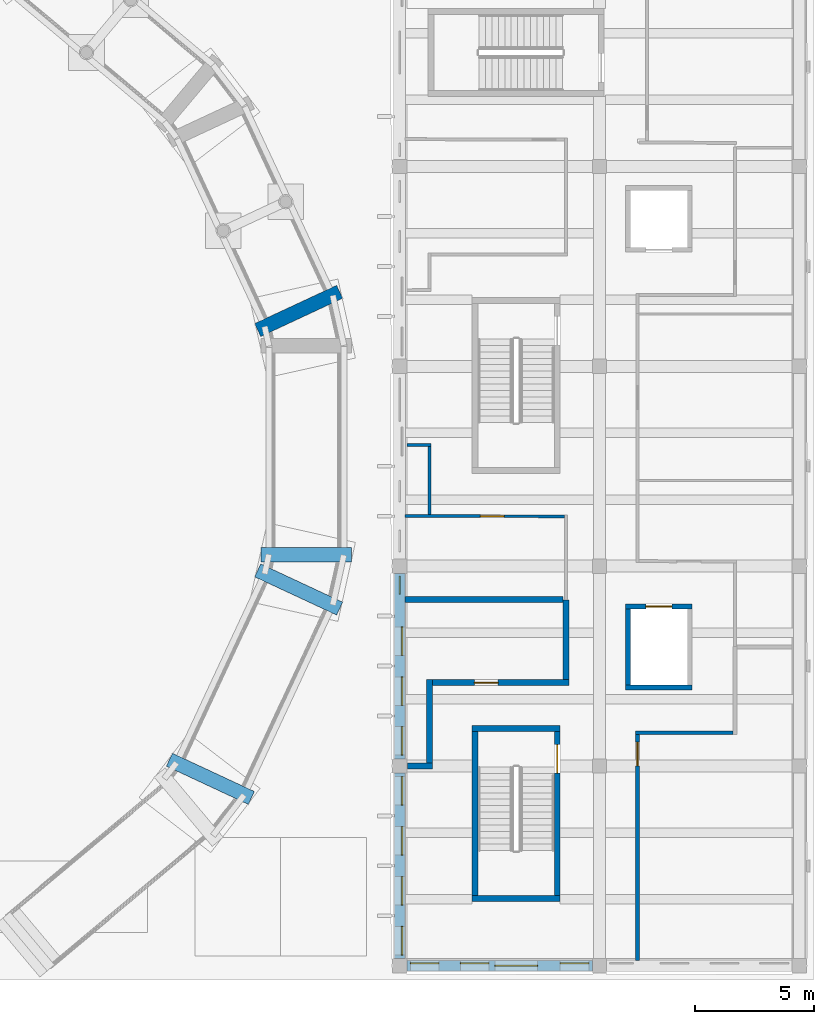
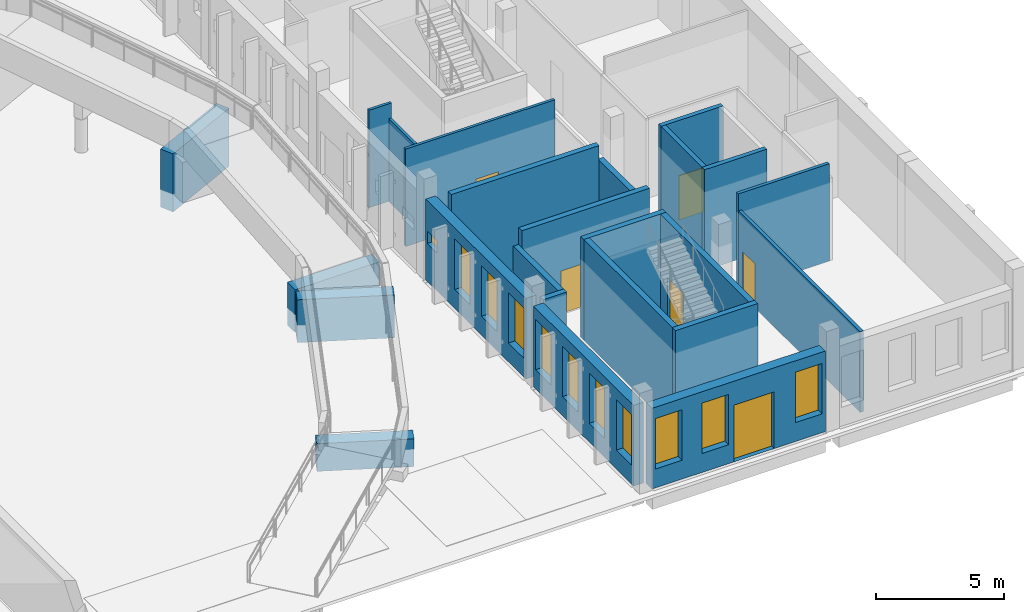
# One storey, part 58 of 110: 24 walls, 11 windows, 6 doors, 17 openings.
"""IFC4 building model written with IfcOpenShell, lengths in metres."""

from ifc_helpers import new_model, si_unit, direction, frame, frame_2d, origin, place, context, subcontext, project, spatial, rectangle, extrude, material, layer, layer_set, type_object, element, fill, save


model = new_model("IFC4")

# Units and contexts
model_context = context("Model", 3, precision=1e-05, world=origin(), true_north=direction((0.0, 1.0)))
body_context = subcontext(model_context, "Body", "Model", "MODEL_VIEW")
ifc_project = project(units=[si_unit("LENGTHUNIT", "METRE"), si_unit("AREAUNIT", "SQUARE_METRE"), si_unit("VOLUMEUNIT", "CUBIC_METRE"), si_unit("PLANEANGLEUNIT", "RADIAN"), si_unit("MASSUNIT", "GRAM", prefix="KILO")], contexts=[model_context])

# Site, building, storey
site_placement = place(None, origin())
site = spatial("IfcSite", under=ifc_project, at=site_placement, CompositionType="ELEMENT")
building_placement = place(site_placement, origin())
building = spatial("IfcBuilding", under=site, at=building_placement, Name="Larchfold Concert Hall", CompositionType="ELEMENT")
storey_placement = place(building_placement, origin())
storey = spatial("IfcBuildingStorey", under=building, at=storey_placement, Name="L00", CompositionType="ELEMENT", Elevation=0.0)

# Wall, opening, door
ifc_material_1 = material(Name="Plasterboard partition on steel studs", Category="steel")
ifc_layer_1 = layer(ifc_material_1, 0.125)
ifc_layer_set_1 = layer_set([ifc_layer_1], Name="Plasterboard partition on steel studs")
wall_type_1 = type_object("IfcWallType", Name="Corridor partition 125 EI 60", PredefinedType="PARTITIONING", material=ifc_layer_set_1)
wall_1_placement = place(storey_placement, frame((91.53662109375, 19.4970703125, 0.0), z_axis=(0.0, 0.0, 1.0), x_axis=(-0.999999761149, 0.000691160257, 0.0)))
wall_1 = element("IfcWall", 1, at=wall_1_placement, inside=storey, type_object=wall_type_1, Name="Partition IW0033", PredefinedType="PARTITIONING", context=body_context, shape_type="SweptSolid", body=[
    extrude(rectangle(XDim=6.71142578125, YDim=0.125, at=frame_2d((3.355712890625, 0.0))), origin(), (0.0, 0.0, 1.0), 4.639892578125),
])
opening_1_placement = place(wall_1_placement, frame((2.54638671875, 0.0, 0.0)))
opening_1 = element("IfcOpeningElement", 2, at=opening_1_placement, cuts=wall_1, Name="Opening D-L00-114", PredefinedType="OPENING", context=body_context, shape_type="SweptSolid", body=[
    extrude(rectangle(XDim=1.0, YDim=2.10009765625, at=frame_2d((0.5, 1.050048828125))), frame((0.0, 0.072509765625, 0.0), z_axis=(0.0, -1.0, 0.0), x_axis=(1.0, 0.0, 0.0)), (0.0, 0.0, 1.0), 0.14501953125),
])
ifc_material_2 = material(Name="Timber door leaf", Category="wood")
door_type_1 = type_object("IfcDoorType", Name="Dressing room door 1000 x 2100 FD30S", OperationType="SINGLE_SWING_LEFT", PredefinedType="DOOR", material=ifc_material_2)
door_1_placement = place(opening_1_placement, origin())
door_1 = element("IfcDoor", 3, at=door_1_placement, inside=storey, type_object=door_type_1, Name="Door D-L00-114", OperationType="SINGLE_SWING_RIGHT", OverallHeight=2.10009765625, OverallWidth=1.0, PredefinedType="DOOR", context=body_context, shape_type="SweptSolid", body=[
    extrude(rectangle(XDim=1.0, YDim=2.10009765625, at=frame_2d((0.5, 1.050048828125))), frame((0.0, 0.02490234375, 0.0), z_axis=(0.0, -1.0, 0.0), x_axis=(1.0, 0.0, 0.0)), (0.0, 0.0, 1.0), 0.050048828125),
])
fill(opening_1, door_1)

# Walls
wall_2_placement = place(storey_placement, frame((85.85107421875, 19.5634765625, 0.0), z_axis=(0.0, 0.0, 1.0), x_axis=(0.0, 1.0, 0.0)))
element("IfcWall", 4, at=wall_2_placement, inside=storey, type_object=wall_type_1, Name="Partition IW0034", PredefinedType="PARTITIONING", context=body_context, shape_type="SweptSolid", body=[
    extrude(rectangle(XDim=2.865966796875, YDim=0.125, at=frame_2d((1.43310546875, 0.0))), origin(), (0.0, 0.0, 1.0), 3.93994140625),
])
wall_3_placement = place(storey_placement, frame((85.91357421875, 22.491455078125, 0.0), z_axis=(0.0, 0.0, 1.0), x_axis=(-0.999964472205, 0.008429372959, 0.0)))
element("IfcWall", 5, at=wall_3_placement, inside=storey, type_object=wall_type_1, Name="Partition IW0035", PredefinedType="PARTITIONING", context=body_context, shape_type="SweptSolid", body=[
    extrude(rectangle(XDim=1.013671875, YDim=0.125, at=frame_2d((0.5068359375, 0.0))), origin(), (0.0, 0.0, 1.0), 4.639892578125),
])
ifc_material_3 = material(Name="Plasterboard partition on steel studs", Category="steel")
ifc_layer_2 = layer(ifc_material_3, 0.25)
ifc_layer_set_2 = layer_set([ifc_layer_2], Name="Plasterboard partition on steel studs")
wall_type_2 = type_object("IfcWallType", Name="Hall acoustic double-leaf partition 250", PredefinedType="PARTITIONING", material=ifc_layer_set_2)
wall_4_placement = place(storey_placement, frame((84.920166015625, 9.000244140625, 0.0), z_axis=(0.0, 0.0, 1.0), x_axis=(0.999980478361, 0.006248431594, 0.0)))
element("IfcWall", 6, at=wall_4_placement, inside=storey, type_object=wall_type_2, Name="Partition IW0036", PredefinedType="PARTITIONING", context=body_context, shape_type="SweptSolid", body=[
    extrude(rectangle(XDim=1.054931640625, YDim=0.25, at=frame_2d((0.52734375, 0.0))), origin(), (0.0, 0.0, 1.0), 3.840087890625),
])
wall_5_placement = place(storey_placement, frame((85.85009765625, 9.131103515625, 0.0), z_axis=(0.0, 0.0, 1.0), x_axis=(0.00027958341, 0.999999960917, 0.0)))
element("IfcWall", 7, at=wall_5_placement, inside=storey, type_object=wall_type_2, Name="Partition IW0037", PredefinedType="PARTITIONING", context=body_context, shape_type="SweptSolid", body=[
    extrude(rectangle(XDim=3.492919921875, YDim=0.25, at=frame_2d((1.74658203125, 0.0))), origin(), (0.0, 0.0, 1.0), 3.840087890625),
])

# Wall, opening, door
wall_6_placement = place(storey_placement, frame((85.97607421875, 12.499267578125, 0.0), z_axis=(0.0, 0.0, 1.0), x_axis=(0.999998484761, 0.001740826167, 0.0)))
wall_6 = element("IfcWall", 8, at=wall_6_placement, inside=storey, type_object=wall_type_2, Name="Partition IW0038", PredefinedType="PARTITIONING", context=body_context, shape_type="SweptSolid", body=[
    extrude(rectangle(XDim=5.75, YDim=0.25, at=frame_2d((2.875, 0.0))), origin(), (0.0, 0.0, 1.0), 4.639892578125),
])
opening_2_placement = place(wall_6_placement, frame((1.76416015625, 0.0, 0.0)))
opening_2 = element("IfcOpeningElement", 9, at=opening_2_placement, cuts=wall_6, Name="Opening D-L00-115", PredefinedType="OPENING", context=body_context, shape_type="SweptSolid", body=[
    extrude(rectangle(XDim=1.0, YDim=2.10009765625, at=frame_2d((0.5, 1.050048828125))), frame((0.0, 0.135009765625, 0.0), z_axis=(0.0, -1.0, 0.0), x_axis=(1.0, 0.0, 0.0)), (0.0, 0.0, 1.0), 0.27001953125),
])
ifc_material_4 = material(Name="Timber door leaf", Category="wood")
door_type_2 = type_object("IfcDoorType", Name="Practice and studio door, acoustic 1000 x 2100 FD30S", OperationType="SINGLE_SWING_LEFT", PredefinedType="DOOR", material=ifc_material_4)
door_2_placement = place(opening_2_placement, origin())
door_2 = element("IfcDoor", 10, at=door_2_placement, inside=storey, type_object=door_type_2, Name="Door D-L00-115", OperationType="SINGLE_SWING_LEFT", OverallHeight=2.10009765625, OverallWidth=1.0, PredefinedType="DOOR", context=body_context, shape_type="SweptSolid", body=[
    extrude(rectangle(XDim=1.0, YDim=2.10009765625, at=frame_2d((0.5, 1.050048828125))), frame((0.0, 0.02490234375, 0.0), z_axis=(0.0, -1.0, 0.0), x_axis=(1.0, 0.0, 0.0)), (0.0, 0.0, 1.0), 0.050048828125),
])
fill(opening_2, door_2)

# Walls
wall_7_placement = place(storey_placement, frame((91.60107421875, 12.634033203125, 0.0), z_axis=(0.0, 0.0, 1.0), x_axis=(-0.000291864271, 0.999999957408, 0.0)))
element("IfcWall", 11, at=wall_7_placement, inside=storey, type_object=wall_type_2, Name="Partition IW0039", PredefinedType="PARTITIONING", context=body_context, shape_type="SweptSolid", body=[
    extrude(rectangle(XDim=3.345947265625, YDim=0.25, at=frame_2d((1.6728515625, 0.0))), origin(), (0.0, 0.0, 1.0), 3.93994140625),
])
wall_8_placement = place(storey_placement, frame((91.47509765625, 16.0, 0.0), z_axis=(0.0, 0.0, 1.0), x_axis=(-1.0, 0.0, 0.0)))
element("IfcWall", 12, at=wall_8_placement, inside=storey, type_object=wall_type_2, Name="Partition IW0065", PredefinedType="PARTITIONING", context=body_context, shape_type="SweptSolid", body=[
    extrude(rectangle(XDim=6.64990234375, YDim=0.25, at=frame_2d((3.324951171875, 0.0))), origin(), (0.0, 0.0, 1.0), 4.639892578125),
])
ifc_material_5 = material(Name="Plasterboard partition on steel studs", Category="steel")
ifc_layer_3 = layer(ifc_material_5, 0.14990234375)
ifc_layer_set_3 = layer_set([ifc_layer_3], Name="Plasterboard partition on steel studs")
wall_type_3 = type_object("IfcWallType", Name="Shaft and plant partition 150 EI 120", PredefinedType="PARTITIONING", material=ifc_layer_set_3)
wall_9_placement = place(storey_placement, frame((98.6240234375, 10.40087890625, 0.0), z_axis=(0.0, 0.0, 1.0), x_axis=(-0.999998891469, -0.001488979886, 0.0)))
element("IfcWall", 13, at=wall_9_placement, inside=storey, type_object=wall_type_3, Name="Partition IW0030", PredefinedType="PARTITIONING", context=body_context, shape_type="SweptSolid", body=[
    extrude(rectangle(XDim=4.09912109375, YDim=0.14990234375, at=frame_2d((2.049560546875, 0.0))), origin(), (0.0, 0.0, 1.0), 4.639892578125),
])

# Wall, opening, door
wall_10_placement = place(storey_placement, frame((94.60009765625, 10.320068359375, 0.0), z_axis=(0.0, 0.0, 1.0), x_axis=(0.0, -1.0, 0.0)))
wall_10 = element("IfcWall", 14, at=wall_10_placement, inside=storey, type_object=wall_type_3, Name="Partition IW0031", PredefinedType="PARTITIONING", context=body_context, shape_type="SweptSolid", body=[
    extrude(rectangle(XDim=9.494873046875, YDim=0.14990234375, at=frame_2d((4.74755859375, 0.0))), origin(), (0.0, 0.0, 1.0), 3.840087890625),
])
opening_3_placement = place(wall_10_placement, frame((0.320556640625, 0.0, 0.0)))
opening_3 = element("IfcOpeningElement", 15, at=opening_3_placement, cuts=wall_10, Name="Opening D-L00-113", PredefinedType="OPENING", context=body_context, shape_type="SweptSolid", body=[
    extrude(rectangle(XDim=1.0, YDim=2.10009765625, at=frame_2d((0.5, 1.050048828125))), frame((0.0, 0.0849609375, 0.0), z_axis=(0.0, -1.0, 0.0), x_axis=(1.0, 0.0, 0.0)), (0.0, 0.0, 1.0), 0.169921875),
])
ifc_material_6 = material(Name="Timber door leaf", Category="wood")
door_type_3 = type_object("IfcDoorType", Name="Store door 1000 x 2100 FD60", OperationType="SINGLE_SWING_LEFT", PredefinedType="DOOR", material=ifc_material_6)
door_3_placement = place(opening_3_placement, origin())
door_3 = element("IfcDoor", 16, at=door_3_placement, inside=storey, type_object=door_type_3, Name="Door D-L00-113", OperationType="SINGLE_SWING_RIGHT", OverallHeight=2.10009765625, OverallWidth=1.0, PredefinedType="DOOR", context=body_context, shape_type="SweptSolid", body=[
    extrude(rectangle(XDim=1.0, YDim=2.10009765625, at=frame_2d((0.5, 1.050048828125))), frame((0.0, 0.02490234375, 0.0), z_axis=(0.0, -1.0, 0.0), x_axis=(1.0, 0.0, 0.0)), (0.0, 0.0, 1.0), 0.050048828125),
])
fill(opening_3, door_3)

# Wall
ifc_material_7 = material(Name="Concrete C40/50", Category="concrete")
ifc_layer_4 = layer(ifc_material_7, 0.199951171875)
ifc_layer_set_4 = layer_set([ifc_layer_4], Name="Concrete C40/50")
wall_type_4 = type_object("IfcWallType", Name="Wall RC 200 lift shaft", PredefinedType="SOLIDWALL", material=ifc_layer_set_4)
wall_11_placement = place(storey_placement, frame((94.10009765625, 12.300048828125, 0.0), z_axis=(0.0, 0.0, 1.0), x_axis=(1.0, 0.0, 0.0)))
element("IfcWall", 17, at=wall_11_placement, inside=storey, type_object=wall_type_4, Name="Wall W0161", PredefinedType="SOLIDWALL", context=body_context, shape_type="SweptSolid", body=[
    extrude(rectangle(XDim=2.7998046875, YDim=0.199951171875, at=frame_2d((1.39990234375, 0.0))), origin(), (0.0, 0.0, 1.0), 4.800048828125),
])

# Wall, opening, door
wall_12_placement = place(storey_placement, frame((94.10009765625, 15.699951171875, 0.0), z_axis=(0.0, 0.0, 1.0), x_axis=(1.0, 0.0, 0.0)))
wall_12 = element("IfcWall", 18, at=wall_12_placement, inside=storey, type_object=wall_type_4, Name="Wall W0162", PredefinedType="SOLIDWALL", context=body_context, shape_type="SweptSolid", body=[
    extrude(rectangle(XDim=2.7998046875, YDim=0.199951171875, at=frame_2d((1.39990234375, 0.0))), origin(), (0.0, 0.0, 1.0), 4.800048828125),
])
opening_4_placement = place(wall_12_placement, frame((0.849853515625, 0.0, 0.0)))
opening_4 = element("IfcOpeningElement", 19, at=opening_4_placement, cuts=wall_12, Name="Opening LD-LF06", PredefinedType="OPENING", context=body_context, shape_type="SweptSolid", body=[
    extrude(rectangle(XDim=1.10009765625, YDim=2.10009765625, at=frame_2d((0.550048828125, 1.050048828125))), frame((0.0, 0.10986328125, 0.0), z_axis=(0.0, -1.0, 0.0), x_axis=(1.0, 0.0, 0.0)), (0.0, 0.0, 1.0), 0.219970703125),
])
ifc_material_8 = material(Name="Stainless steel sliding leaves", Category="steel")
door_type_4 = type_object("IfcDoorType", Name="Lift landing door sliding 1100 x 2100", OperationType="SLIDING_TO_LEFT", PredefinedType="DOOR", material=ifc_material_8)
door_4_placement = place(opening_4_placement, origin())
door_4 = element("IfcDoor", 20, at=door_4_placement, inside=storey, type_object=door_type_4, Name="Lift landing door LF06", OperationType="SLIDING_TO_LEFT", OverallHeight=2.10009765625, OverallWidth=1.10009765625, PredefinedType="DOOR", context=body_context, shape_type="SweptSolid", body=[
    extrude(rectangle(XDim=1.10009765625, YDim=2.10009765625, at=frame_2d((0.550048828125, 1.050048828125))), frame((0.0, 0.02490234375, 0.0), z_axis=(0.0, -1.0, 0.0), x_axis=(1.0, 0.0, 0.0)), (0.0, 0.0, 1.0), 0.050048828125),
])
fill(opening_4, door_4)

# Walls
wall_13_placement = place(storey_placement, frame((94.2001953125, 12.39990234375, 0.0), z_axis=(0.0, 0.0, 1.0), x_axis=(0.0, 1.0, 0.0)))
element("IfcWall", 21, at=wall_13_placement, inside=storey, type_object=wall_type_4, Name="Wall W0163", PredefinedType="SOLIDWALL", context=body_context, shape_type="SweptSolid", body=[
    extrude(rectangle(XDim=3.2001953125, YDim=0.199951171875, at=frame_2d((1.60009765625, 0.0))), origin(), (0.0, 0.0, 1.0), 4.800048828125),
])
ifc_material_9 = material(Name="Concrete C40/50", Category="concrete")
ifc_layer_5 = layer(ifc_material_9, 0.25)
ifc_layer_set_5 = layer_set([ifc_layer_5], Name="Concrete C40/50")
wall_type_5 = type_object("IfcWallType", Name="Wall RC 250 stair core", PredefinedType="SOLIDWALL", material=ifc_layer_set_5)
for number, where, z_axis, x_axis, name in (
    (22, (87.64990234375, 3.425048828125, 0.0), (0.0, 0.0, 1.0), (1.0, 0.0, 0.0), "Wall W0081"),
    (23, (87.64990234375, 10.574951171875, 0.0), (0.0, 0.0, 1.0), (1.0, 0.0, 0.0), "Wall W0082"),
):
    element("IfcWall", number, at=place(storey_placement, frame(where, z_axis=z_axis, x_axis=x_axis)), inside=storey, type_object=wall_type_5, Name=name, PredefinedType="SOLIDWALL", context=body_context, shape_type="SweptSolid", body=[
        extrude(rectangle(XDim=3.7001953125, YDim=0.25, at=frame_2d((1.85009765625, 0.0))), origin(), (0.0, 0.0, 1.0), 4.800048828125),
    ])
wall_14_placement = place(storey_placement, frame((87.77490234375, 3.550048828125, 0.0), z_axis=(0.0, 0.0, 1.0), x_axis=(0.0, 1.0, 0.0)))
element("IfcWall", 24, at=wall_14_placement, inside=storey, type_object=wall_type_5, Name="Wall W0083", PredefinedType="SOLIDWALL", context=body_context, shape_type="SweptSolid", body=[
    extrude(rectangle(XDim=6.89990234375, YDim=0.25, at=frame_2d((3.449951171875, 0.0))), origin(), (0.0, 0.0, 1.0), 4.800048828125),
])

# Wall, opening, door
wall_15_placement = place(storey_placement, frame((91.22509765625, 3.550048828125, 0.0), z_axis=(0.0, 0.0, 1.0), x_axis=(0.0, 1.0, 0.0)))
wall_15 = element("IfcWall", 25, at=wall_15_placement, inside=storey, type_object=wall_type_5, Name="Wall W0084", PredefinedType="SOLIDWALL", context=body_context, shape_type="SweptSolid", body=[
    extrude(rectangle(XDim=6.89990234375, YDim=0.25, at=frame_2d((3.449951171875, 0.0))), origin(), (0.0, 0.0, 1.0), 4.800048828125),
])
opening_5_placement = place(wall_15_placement, frame((5.14990234375, 0.0, 0.0)))
opening_5 = element("IfcOpeningElement", 26, at=opening_5_placement, cuts=wall_15, Name="Opening D-L00-166", PredefinedType="OPENING", context=body_context, shape_type="SweptSolid", body=[
    extrude(rectangle(XDim=1.199951171875, YDim=2.10009765625, at=frame_2d((0.60009765625, 1.050048828125))), frame((0.0, 0.135009765625, 0.0), z_axis=(0.0, -1.0, 0.0), x_axis=(1.0, 0.0, 0.0)), (0.0, 0.0, 1.0), 0.27001953125),
])
ifc_material_10 = material(Name="Timber door leaf", Category="wood")
door_type_5 = type_object("IfcDoorType", Name="Stair enclosure door pair 1200 x 2100 FD60", OperationType="SINGLE_SWING_LEFT", PredefinedType="DOOR", material=ifc_material_10)
door_5_placement = place(opening_5_placement, origin())
door_5 = element("IfcDoor", 27, at=door_5_placement, inside=storey, type_object=door_type_5, Name="Door D-L00-166", OperationType="DOUBLE_DOOR_SINGLE_SWING", OverallHeight=2.10009765625, OverallWidth=1.199951171875, PredefinedType="DOOR", context=body_context, shape_type="SweptSolid", body=[
    extrude(rectangle(XDim=1.199951171875, YDim=2.10009765625, at=frame_2d((0.60009765625, 1.050048828125))), frame((0.0, 0.02490234375, 0.0), z_axis=(0.0, -1.0, 0.0), x_axis=(1.0, 0.0, 0.0)), (0.0, 0.0, 1.0), 0.050048828125),
])
fill(opening_5, door_5)

# Walls
ifc_material_11 = material(Name="Concrete C30/37", Category="concrete")
ifc_layer_6 = layer(ifc_material_11, 0.60009765625)
ifc_layer_set_6 = layer_set([ifc_layer_6], Name="Concrete C30/37")
wall_type_6 = type_object("IfcWallType", Name="Wall RC 600 ramp pier", PredefinedType="SOLIDWALL", material=ifc_layer_set_6)
wall_16_placement = place(storey_placement, frame((78.364013671875, 7.654296875, -0.85009765625), z_axis=(0.0, 0.0, 1.0), x_axis=(-0.906301285889, 0.422632203217, 0.0)))
element("IfcWall", 28, at=wall_16_placement, inside=storey, type_object=wall_type_6, Name="Wall W0194", PredefinedType="SOLIDWALL", context=body_context, shape_type="SweptSolid", body=[
    extrude(rectangle(XDim=3.7998046875, YDim=0.60009765625, at=frame_2d((1.89990234375, 0.0))), origin(), (0.0, 0.0, 1.0), 1.320068359375),
])
for number, where, z_axis, x_axis, name in (
    (29, (82.076171875, 15.615234375, -0.85009765625), (0.0, 0.0, 1.0), (-0.906301285889, 0.422632203217, 0.0), "Wall W0195"),
    (30, (82.578857421875, 17.8828125, -0.85009765625), (0.0, 0.0, 1.0), (-1.0, 0.0, 0.0), "Wall W0196"),
):
    element("IfcWall", number, at=place(storey_placement, frame(where, z_axis=z_axis, x_axis=x_axis)), inside=storey, type_object=wall_type_6, Name=name, PredefinedType="SOLIDWALL", context=body_context, shape_type="SweptSolid", body=[
        extrude(rectangle(XDim=3.7998046875, YDim=0.60009765625, at=frame_2d((1.89990234375, 0.0))), origin(), (0.0, 0.0, 1.0), 2.0400390625),
    ])
wall_17_placement = place(storey_placement, frame((82.076171875, 28.93408203125, -0.85009765625), z_axis=(0.0, 0.0, 1.0), x_axis=(-0.906301285889, -0.422632203217, 0.0)))
element("IfcWall", 31, at=wall_17_placement, inside=storey, type_object=wall_type_6, Name="Wall W0198", PredefinedType="SOLIDWALL", context=body_context, shape_type="SweptSolid", body=[
    extrude(rectangle(XDim=3.7998046875, YDim=0.60009765625, at=frame_2d((1.89990234375, 0.0))), origin(), (0.0, 0.0, 1.0), 2.760009765625),
])

# Wall, openings, windows
ifc_material_12 = material(Name="White render on mineral wool and block")
ifc_layer_7 = layer(ifc_material_12, 0.449951171875)
ifc_layer_set_7 = layer_set([ifc_layer_7], Name="White render on mineral wool and block")
wall_type_7 = type_object("IfcWallType", Name="White render infill wall 450", PredefinedType="SOLIDWALL", material=ifc_layer_set_7)
wall_18_placement = place(storey_placement, frame((84.60009765625, 17.099853515625, 0.0), z_axis=(0.0, 0.0, 1.0), x_axis=(0.0, -1.0, 0.0)))
wall_18 = element("IfcWall", 32, at=wall_18_placement, inside=storey, type_object=wall_type_7, Name="Infill wall W5130", PredefinedType="SOLIDWALL", context=body_context, shape_type="SweptSolid", body=[
    extrude(rectangle(XDim=7.7998046875, YDim=0.449951171875, at=frame_2d((3.89990234375, 0.0))), origin(), (0.0, 0.0, 1.0), 3.840087890625),
])
opening_6_placement = place(wall_18_placement, frame((6.449951171875, 0.0, 0.89990234375)))
opening_6 = element("IfcOpeningElement", 33, at=opening_6_placement, cuts=wall_18, Name="Opening WN-L00-073", PredefinedType="OPENING", context=body_context, shape_type="SweptSolid", body=[
    extrude(rectangle(XDim=1.199951171875, YDim=2.39990234375, at=frame_2d((0.60009765625, 1.199951171875))), frame((0.0, 0.23486328125, 0.0), z_axis=(0.0, -1.0, 0.0), x_axis=(1.0, 0.0, 0.0)), (0.0, 0.0, 1.0), 0.469970703125),
])
opening_7_placement = place(wall_18_placement, frame((4.349853515625, 0.0, 0.89990234375)))
opening_7 = element("IfcOpeningElement", 34, at=opening_7_placement, cuts=wall_18, Name="Opening WN-L00-074", PredefinedType="OPENING", context=body_context, shape_type="SweptSolid", body=[
    extrude(rectangle(XDim=1.199951171875, YDim=2.39990234375, at=frame_2d((0.60009765625, 1.199951171875))), frame((0.0, 0.23486328125, 0.0), z_axis=(0.0, -1.0, 0.0), x_axis=(1.0, 0.0, 0.0)), (0.0, 0.0, 1.0), 0.469970703125),
])
opening_8_placement = place(wall_18_placement, frame((2.249755859375, 0.0, 0.89990234375)))
opening_8 = element("IfcOpeningElement", 35, at=opening_8_placement, cuts=wall_18, Name="Opening WN-L00-075", PredefinedType="OPENING", context=body_context, shape_type="SweptSolid", body=[
    extrude(rectangle(XDim=1.199951171875, YDim=2.39990234375, at=frame_2d((0.60009765625, 1.199951171875))), frame((0.0, 0.23486328125, 0.0), z_axis=(0.0, -1.0, 0.0), x_axis=(1.0, 0.0, 0.0)), (0.0, 0.0, 1.0), 0.469970703125),
])
opening_9_placement = place(wall_18_placement, frame((0.122314453125, 0.0, 1.800048828125)))
opening_9 = element("IfcOpeningElement", 36, at=opening_9_placement, cuts=wall_18, Name="Opening WN-L00-076", PredefinedType="OPENING", context=body_context, shape_type="SweptSolid", body=[
    extrude(rectangle(XDim=0.75, YDim=0.60009765625, at=frame_2d((0.375, 0.300048828125))), frame((0.0, 0.23486328125, 0.0), z_axis=(0.0, -1.0, 0.0), x_axis=(1.0, 0.0, 0.0)), (0.0, 0.0, 1.0), 0.469970703125),
])
ifc_material_13 = material(Name="Anodised graphite aluminium frame with glass", Category="aluminium")
window_type_1 = type_object("IfcWindowType", Name="Slot window 1200x2400", PartitioningType="SINGLE_PANEL", PredefinedType="WINDOW", material=ifc_material_13)
window_1_placement = place(opening_6_placement, origin())
window_1 = element("IfcWindow", 37, at=window_1_placement, inside=storey, type_object=window_type_1, Name="Window WN-L00-073", OverallHeight=2.39990234375, OverallWidth=1.199951171875, PartitioningType="SINGLE_PANEL", PredefinedType="WINDOW", context=body_context, shape_type="SweptSolid", body=[
    extrude(rectangle(XDim=1.199951171875, YDim=2.39990234375, at=frame_2d((0.60009765625, 1.199951171875))), frame((0.0, 0.135009765625, 0.0), z_axis=(0.0, -1.0, 0.0), x_axis=(1.0, 0.0, 0.0)), (0.0, 0.0, 1.0), 0.06005859375),
])
fill(opening_6, window_1)
window_2_placement = place(opening_7_placement, origin())
window_2 = element("IfcWindow", 38, at=window_2_placement, inside=storey, type_object=window_type_1, Name="Window WN-L00-074", OverallHeight=2.39990234375, OverallWidth=1.199951171875, PartitioningType="SINGLE_PANEL", PredefinedType="WINDOW", context=body_context, shape_type="SweptSolid", body=[
    extrude(rectangle(XDim=1.199951171875, YDim=2.39990234375, at=frame_2d((0.60009765625, 1.199951171875))), frame((0.0, 0.135009765625, 0.0), z_axis=(0.0, -1.0, 0.0), x_axis=(1.0, 0.0, 0.0)), (0.0, 0.0, 1.0), 0.06005859375),
])
fill(opening_7, window_2)
window_3_placement = place(opening_8_placement, origin())
window_3 = element("IfcWindow", 39, at=window_3_placement, inside=storey, type_object=window_type_1, Name="Window WN-L00-075", OverallHeight=2.39990234375, OverallWidth=1.199951171875, PartitioningType="SINGLE_PANEL", PredefinedType="WINDOW", context=body_context, shape_type="SweptSolid", body=[
    extrude(rectangle(XDim=1.199951171875, YDim=2.39990234375, at=frame_2d((0.60009765625, 1.199951171875))), frame((0.0, 0.135009765625, 0.0), z_axis=(0.0, -1.0, 0.0), x_axis=(1.0, 0.0, 0.0)), (0.0, 0.0, 1.0), 0.06005859375),
])
fill(opening_8, window_3)
ifc_material_14 = material(Name="Anodised graphite aluminium frame with obscured glass", Category="aluminium")
window_type_2 = type_object("IfcWindowType", Name="Toilet high window 750x600", PartitioningType="SINGLE_PANEL", PredefinedType="WINDOW", material=ifc_material_14)
window_4_placement = place(opening_9_placement, origin())
window_4 = element("IfcWindow", 40, at=window_4_placement, inside=storey, type_object=window_type_2, Name="Window WN-L00-076", OverallHeight=0.60009765625, OverallWidth=0.75, PartitioningType="SINGLE_PANEL", PredefinedType="WINDOW", context=body_context, shape_type="SweptSolid", body=[
    extrude(rectangle(XDim=0.75, YDim=0.60009765625, at=frame_2d((0.375, 0.300048828125))), frame((0.0, 0.034912109375, 0.0), z_axis=(0.0, -1.0, 0.0), x_axis=(1.0, 0.0, 0.0)), (0.0, 0.0, 1.0), 0.06005859375),
])
fill(opening_9, window_4)

wall_19_placement = place(storey_placement, frame((84.60009765625, 8.699951171875, 0.0), z_axis=(0.0, 0.0, 1.0), x_axis=(0.0, -1.0, 0.0)))
wall_19 = element("IfcWall", 41, at=wall_19_placement, inside=storey, type_object=wall_type_7, Name="Infill wall W5131", PredefinedType="SOLIDWALL", context=body_context, shape_type="SweptSolid", body=[
    extrude(rectangle(XDim=7.7998046875, YDim=0.449951171875, at=frame_2d((3.89990234375, 0.0))), origin(), (0.0, 0.0, 1.0), 3.840087890625),
])
opening_10_placement = place(wall_19_placement, frame((6.449951171875, 0.0, 0.89990234375)))
opening_10 = element("IfcOpeningElement", 42, at=opening_10_placement, cuts=wall_19, Name="Opening WN-L00-077", PredefinedType="OPENING", context=body_context, shape_type="SweptSolid", body=[
    extrude(rectangle(XDim=1.199951171875, YDim=2.39990234375, at=frame_2d((0.60009765625, 1.199951171875))), frame((0.0, 0.23486328125, 0.0), z_axis=(0.0, -1.0, 0.0), x_axis=(1.0, 0.0, 0.0)), (0.0, 0.0, 1.0), 0.469970703125),
])
opening_11_placement = place(wall_19_placement, frame((4.349853515625, 0.0, 0.89990234375)))
opening_11 = element("IfcOpeningElement", 43, at=opening_11_placement, cuts=wall_19, Name="Opening WN-L00-078", PredefinedType="OPENING", context=body_context, shape_type="SweptSolid", body=[
    extrude(rectangle(XDim=1.199951171875, YDim=2.39990234375, at=frame_2d((0.60009765625, 1.199951171875))), frame((0.0, 0.23486328125, 0.0), z_axis=(0.0, -1.0, 0.0), x_axis=(1.0, 0.0, 0.0)), (0.0, 0.0, 1.0), 0.469970703125),
])
opening_12_placement = place(wall_19_placement, frame((2.25, 0.0, 0.89990234375)))
opening_12 = element("IfcOpeningElement", 44, at=opening_12_placement, cuts=wall_19, Name="Opening WN-L00-079", PredefinedType="OPENING", context=body_context, shape_type="SweptSolid", body=[
    extrude(rectangle(XDim=1.199951171875, YDim=2.39990234375, at=frame_2d((0.60009765625, 1.199951171875))), frame((0.0, 0.23486328125, 0.0), z_axis=(0.0, -1.0, 0.0), x_axis=(1.0, 0.0, 0.0)), (0.0, 0.0, 1.0), 0.469970703125),
])
opening_13_placement = place(wall_19_placement, frame((0.14990234375, 0.0, 0.89990234375)))
opening_13 = element("IfcOpeningElement", 45, at=opening_13_placement, cuts=wall_19, Name="Opening WN-L00-080", PredefinedType="OPENING", context=body_context, shape_type="SweptSolid", body=[
    extrude(rectangle(XDim=1.199951171875, YDim=2.39990234375, at=frame_2d((0.60009765625, 1.199951171875))), frame((0.0, 0.23486328125, 0.0), z_axis=(0.0, -1.0, 0.0), x_axis=(1.0, 0.0, 0.0)), (0.0, 0.0, 1.0), 0.469970703125),
])
window_5_placement = place(opening_10_placement, origin())
window_5 = element("IfcWindow", 46, at=window_5_placement, inside=storey, type_object=window_type_1, Name="Window WN-L00-077", OverallHeight=2.39990234375, OverallWidth=1.199951171875, PartitioningType="SINGLE_PANEL", PredefinedType="WINDOW", context=body_context, shape_type="SweptSolid", body=[
    extrude(rectangle(XDim=1.199951171875, YDim=2.39990234375, at=frame_2d((0.60009765625, 1.199951171875))), frame((0.0, 0.135009765625, 0.0), z_axis=(0.0, -1.0, 0.0), x_axis=(1.0, 0.0, 0.0)), (0.0, 0.0, 1.0), 0.06005859375),
])
fill(opening_10, window_5)
window_6_placement = place(opening_11_placement, origin())
window_6 = element("IfcWindow", 47, at=window_6_placement, inside=storey, type_object=window_type_1, Name="Window WN-L00-078", OverallHeight=2.39990234375, OverallWidth=1.199951171875, PartitioningType="SINGLE_PANEL", PredefinedType="WINDOW", context=body_context, shape_type="SweptSolid", body=[
    extrude(rectangle(XDim=1.199951171875, YDim=2.39990234375, at=frame_2d((0.60009765625, 1.199951171875))), frame((0.0, 0.135009765625, 0.0), z_axis=(0.0, -1.0, 0.0), x_axis=(1.0, 0.0, 0.0)), (0.0, 0.0, 1.0), 0.06005859375),
])
fill(opening_11, window_6)
window_7_placement = place(opening_12_placement, origin())
window_7 = element("IfcWindow", 48, at=window_7_placement, inside=storey, type_object=window_type_1, Name="Window WN-L00-079", OverallHeight=2.39990234375, OverallWidth=1.199951171875, PartitioningType="SINGLE_PANEL", PredefinedType="WINDOW", context=body_context, shape_type="SweptSolid", body=[
    extrude(rectangle(XDim=1.199951171875, YDim=2.39990234375, at=frame_2d((0.60009765625, 1.199951171875))), frame((0.0, 0.135009765625, 0.0), z_axis=(0.0, -1.0, 0.0), x_axis=(1.0, 0.0, 0.0)), (0.0, 0.0, 1.0), 0.06005859375),
])
fill(opening_12, window_7)
window_8_placement = place(opening_13_placement, origin())
window_8 = element("IfcWindow", 49, at=window_8_placement, inside=storey, type_object=window_type_1, Name="Window WN-L00-080", OverallHeight=2.39990234375, OverallWidth=1.199951171875, PartitioningType="SINGLE_PANEL", PredefinedType="WINDOW", context=body_context, shape_type="SweptSolid", body=[
    extrude(rectangle(XDim=1.199951171875, YDim=2.39990234375, at=frame_2d((0.60009765625, 1.199951171875))), frame((0.0, 0.135009765625, 0.0), z_axis=(0.0, -1.0, 0.0), x_axis=(1.0, 0.0, 0.0)), (0.0, 0.0, 1.0), 0.06005859375),
])
fill(opening_13, window_8)

# Wall, openings, door, windows
wall_20_placement = place(storey_placement, frame((84.900146484375, 0.60009765625, 0.0), z_axis=(0.0, 0.0, 1.0), x_axis=(1.0, 0.0, 0.0)))
wall_20 = element("IfcWall", 50, at=wall_20_placement, inside=storey, type_object=wall_type_7, Name="Infill wall W5132", PredefinedType="SOLIDWALL", context=body_context, shape_type="SweptSolid", body=[
    extrude(rectangle(XDim=7.7998046875, YDim=0.449951171875, at=frame_2d((3.89990234375, 0.0))), origin(), (0.0, 0.0, 1.0), 3.840087890625),
])
opening_14_placement = place(wall_20_placement, frame((5.5, 0.0, 0.0), z_axis=(0.0, 0.0, 1.0), x_axis=(-1.0, 0.0, 0.0)))
opening_14 = element("IfcOpeningElement", 51, at=opening_14_placement, cuts=wall_20, Name="Opening D-L00-216", PredefinedType="OPENING", context=body_context, shape_type="SweptSolid", body=[
    extrude(rectangle(XDim=1.800048828125, YDim=2.699951171875, at=frame_2d((0.89990234375, 1.35009765625))), frame((0.0, 0.23486328125, 0.0), z_axis=(0.0, -1.0, 0.0), x_axis=(1.0, 0.0, 0.0)), (0.0, 0.0, 1.0), 0.469970703125),
])
opening_15_placement = place(wall_20_placement, frame((0.14990234375, 0.0, 0.89990234375)))
opening_15 = element("IfcOpeningElement", 52, at=opening_15_placement, cuts=wall_20, Name="Opening WN-L00-081", PredefinedType="OPENING", context=body_context, shape_type="SweptSolid", body=[
    extrude(rectangle(XDim=1.199951171875, YDim=2.39990234375, at=frame_2d((0.60009765625, 1.199951171875))), frame((0.0, 0.23486328125, 0.0), z_axis=(0.0, -1.0, 0.0), x_axis=(1.0, 0.0, 0.0)), (0.0, 0.0, 1.0), 0.469970703125),
])
opening_16_placement = place(wall_20_placement, frame((2.249755859375, 0.0, 0.89990234375)))
opening_16 = element("IfcOpeningElement", 53, at=opening_16_placement, cuts=wall_20, Name="Opening WN-L00-082", PredefinedType="OPENING", context=body_context, shape_type="SweptSolid", body=[
    extrude(rectangle(XDim=1.199951171875, YDim=2.39990234375, at=frame_2d((0.60009765625, 1.199951171875))), frame((0.0, 0.23486328125, 0.0), z_axis=(0.0, -1.0, 0.0), x_axis=(1.0, 0.0, 0.0)), (0.0, 0.0, 1.0), 0.469970703125),
])
opening_17_placement = place(wall_20_placement, frame((6.449951171875, 0.0, 0.89990234375)))
opening_17 = element("IfcOpeningElement", 54, at=opening_17_placement, cuts=wall_20, Name="Opening WN-L00-083", PredefinedType="OPENING", context=body_context, shape_type="SweptSolid", body=[
    extrude(rectangle(XDim=1.199951171875, YDim=2.39990234375, at=frame_2d((0.60009765625, 1.199951171875))), frame((0.0, 0.23486328125, 0.0), z_axis=(0.0, -1.0, 0.0), x_axis=(1.0, 0.0, 0.0)), (0.0, 0.0, 1.0), 0.469970703125),
])
ifc_material_15 = material(Name="Anodised graphite aluminium door leaf", Category="aluminium")
door_type_6 = type_object("IfcDoorType", Name="Artists entrance door double 1800x2700", OperationType="DOUBLE_DOOR_SINGLE_SWING", PredefinedType="DOOR", material=ifc_material_15)
door_6_placement = place(opening_14_placement, origin())
door_6 = element("IfcDoor", 55, at=door_6_placement, inside=storey, type_object=door_type_6, Name="Door D-L00-216", OperationType="DOUBLE_DOOR_SINGLE_SWING", OverallHeight=2.699951171875, OverallWidth=1.800048828125, PredefinedType="DOOR", context=body_context, shape_type="SweptSolid", body=[
    extrude(rectangle(XDim=1.800048828125, YDim=2.699951171875, at=frame_2d((0.89990234375, 1.35009765625))), frame((0.0, 0.02490234375, 0.0), z_axis=(0.0, -1.0, 0.0), x_axis=(1.0, 0.0, 0.0)), (0.0, 0.0, 1.0), 0.050048828125),
])
fill(opening_14, door_6)
window_9_placement = place(opening_15_placement, origin())
window_9 = element("IfcWindow", 56, at=window_9_placement, inside=storey, type_object=window_type_1, Name="Window WN-L00-081", OverallHeight=2.39990234375, OverallWidth=1.199951171875, PartitioningType="SINGLE_PANEL", PredefinedType="WINDOW", context=body_context, shape_type="SweptSolid", body=[
    extrude(rectangle(XDim=1.199951171875, YDim=2.39990234375, at=frame_2d((0.60009765625, 1.199951171875))), frame((0.0, 0.135009765625, 0.0), z_axis=(0.0, -1.0, 0.0), x_axis=(1.0, 0.0, 0.0)), (0.0, 0.0, 1.0), 0.06005859375),
])
fill(opening_15, window_9)
window_10_placement = place(opening_16_placement, origin())
window_10 = element("IfcWindow", 57, at=window_10_placement, inside=storey, type_object=window_type_1, Name="Window WN-L00-082", OverallHeight=2.39990234375, OverallWidth=1.199951171875, PartitioningType="SINGLE_PANEL", PredefinedType="WINDOW", context=body_context, shape_type="SweptSolid", body=[
    extrude(rectangle(XDim=1.199951171875, YDim=2.39990234375, at=frame_2d((0.60009765625, 1.199951171875))), frame((0.0, 0.135009765625, 0.0), z_axis=(0.0, -1.0, 0.0), x_axis=(1.0, 0.0, 0.0)), (0.0, 0.0, 1.0), 0.06005859375),
])
fill(opening_16, window_10)
window_11_placement = place(opening_17_placement, origin())
window_11 = element("IfcWindow", 58, at=window_11_placement, inside=storey, type_object=window_type_1, Name="Window WN-L00-083", OverallHeight=2.39990234375, OverallWidth=1.199951171875, PartitioningType="SINGLE_PANEL", PredefinedType="WINDOW", context=body_context, shape_type="SweptSolid", body=[
    extrude(rectangle(XDim=1.199951171875, YDim=2.39990234375, at=frame_2d((0.60009765625, 1.199951171875))), frame((0.0, 0.135009765625, 0.0), z_axis=(0.0, -1.0, 0.0), x_axis=(1.0, 0.0, 0.0)), (0.0, 0.0, 1.0), 0.06005859375),
])
fill(opening_17, window_11)

save(model, "model.ifc")
